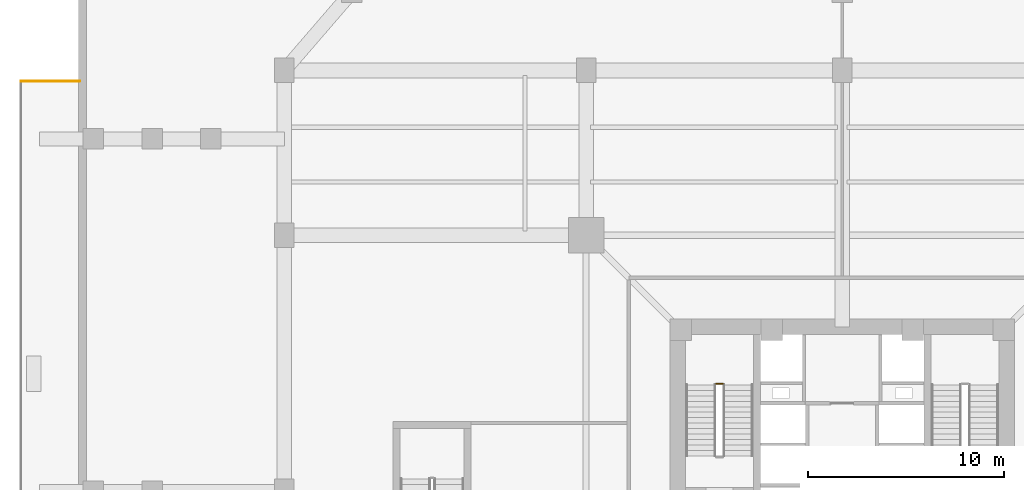
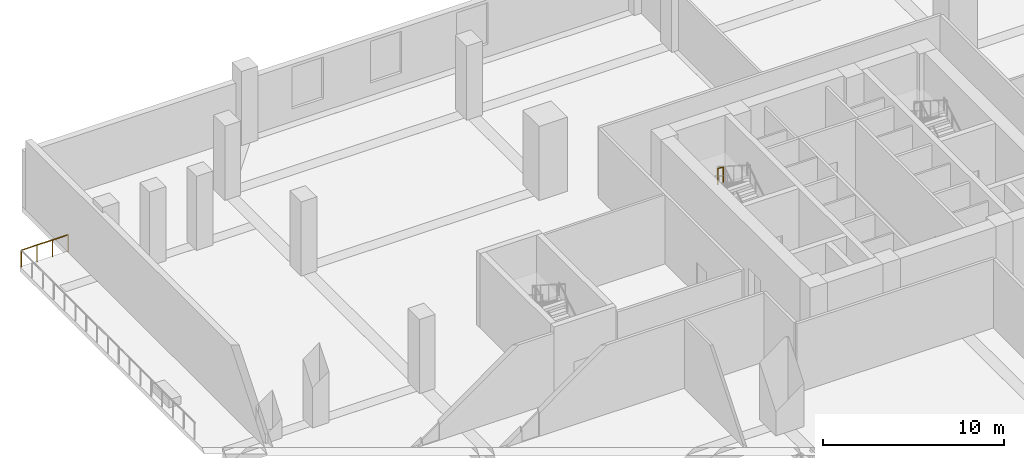
# One storey, part 15 of 17: 2 railings.
"""IFC4 building model written with IfcOpenShell, lengths in metres."""

import ifcopenshell
import ifcopenshell.guid

model = None  # the IFC model being written
_history = None  # IfcOwnerHistory: only IFC2X3 demands one
_inside = {}  # id of a spatial element -> (the spatial element, [elements in it])
_under = {}  # id of a project, library or spatial element -> (it, [spatial elements below it])
_declared = {}  # id of a project -> (the project, [libraries it declares])
_typed = {}  # id of a type object -> (the type object, [elements of that type])
_made_of = {}  # id of a material, layer set ... -> (it, [elements and type objects made of it])


def new_model(schema):
    """Start an empty IFC model of exactly this schema.

    Asked for "IFC4X3", IfcOpenShell would pick the latest addendum, in which some entities
    have other attributes; the version numbers below select the first issue.
    IFC2X3 requires an IfcOwnerHistory on every rooted entity: one is made here for all.
    """
    global model, _history
    if schema == "IFC4X3":
        model = ifcopenshell.file(schema_version=(4, 3, 0, 0))
    else:
        model = ifcopenshell.file(schema=schema)
    _inside.clear()
    _under.clear()
    _declared.clear()
    _typed.clear()
    _made_of.clear()
    _history = None
    if model.schema == "IFC2X3":
        org = make("IfcOrganization", Name="unknown")
        user = make(
            "IfcPersonAndOrganization",
            ThePerson=make("IfcPerson", FamilyName="unknown"),
            TheOrganization=org,
        )
        app = make(
            "IfcApplication",
            ApplicationDeveloper=org,
            Version="unknown",
            ApplicationFullName="unknown",
            ApplicationIdentifier="unknown",
        )
        _history = make(
            "IfcOwnerHistory",
            OwningUser=user,
            OwningApplication=app,
            ChangeAction="ADDED",
            CreationDate=0,
        )
    return model


def make(cls, **values):
    """One entity of the class cls with the attributes given. An attribute that is None is left unset."""
    return model.create_entity(
        cls, **{name: value for name, value in values.items() if value is not None}
    )


def rooted(cls, **values):
    """An entity with a GlobalId (a new one), such as an element, a storey or a relation."""
    return make(cls, GlobalId=ifcopenshell.guid.new(), OwnerHistory=_history, **values)


def si_unit(unit_type, name, prefix=None):
    """IfcSIUnit, for example si_unit("LENGTHUNIT", "METRE", prefix="MILLI")."""
    return make("IfcSIUnit", UnitType=unit_type, Prefix=prefix, Name=name)


def assignment(units):
    """IfcUnitAssignment: the units of a project."""
    return None if units is None else make("IfcUnitAssignment", Units=units)


def point(xyz):
    """IfcCartesianPoint."""
    return None if xyz is None else make("IfcCartesianPoint", Coordinates=xyz)


def direction(xyz):
    """IfcDirection."""
    return None if xyz is None else make("IfcDirection", DirectionRatios=xyz)


def frame(location, z_axis=None, x_axis=None):
    """IfcAxis2Placement3D, a coordinate frame: its origin and axes. An axis left out is left unset."""
    return make(
        "IfcAxis2Placement3D",
        Location=point(location),
        Axis=direction(z_axis),
        RefDirection=direction(x_axis),
    )


def frame_2d(location, x_axis=None):
    """IfcAxis2Placement2D, a coordinate frame in the plane: its origin and x axis."""
    return make(
        "IfcAxis2Placement2D", Location=point(location), RefDirection=direction(x_axis)
    )


def origin():
    """The frame at (0, 0, 0) with its axes left unset."""
    return frame((0.0, 0.0, 0.0))


def origin_2d():
    """The frame at (0, 0) in the plane with its x axis left unset."""
    return frame_2d((0.0, 0.0))


def place(relative_to, where):
    """IfcLocalPlacement: puts the frame where relative to a parent placement (None: the world)."""
    return make(
        "IfcLocalPlacement", PlacementRelTo=relative_to, RelativePlacement=where
    )


def context(
    kind, dimensions, precision=None, world=None, true_north=None, identifier=None
):
    """IfcGeometricRepresentationContext, for example the 3D "Model" context."""
    return make(
        "IfcGeometricRepresentationContext",
        ContextIdentifier=identifier,
        ContextType=kind,
        CoordinateSpaceDimension=dimensions,
        Precision=precision,
        WorldCoordinateSystem=world,
        TrueNorth=true_north,
    )


def subcontext(parent, identifier, kind, view, scale=None):
    """IfcGeometricRepresentationSubContext, for example "Body" below "Model"."""
    return make(
        "IfcGeometricRepresentationSubContext",
        ContextIdentifier=identifier,
        ContextType=kind,
        ParentContext=parent,
        TargetScale=scale,
        TargetView=view,
    )


def project(units=None, contexts=None):
    """IfcProject with its units and contexts."""
    return rooted(
        "IfcProject",
        Name="project",
        RepresentationContexts=contexts,
        UnitsInContext=assignment(units),
    )


def spatial(cls, under=None, at=None, **own):
    """A site, building, storey or space (cls), placed at a placement, below another one or the project."""
    s = rooted(cls, ObjectPlacement=at, **own)
    if under is not None:
        _under.setdefault(under.id(), (under, []))[1].append(s)
    return s


def profile(cls, at=None, kind="AREA", **sizes):
    """A parametric profile (cls). Its sizes go by their IFC names, for example OverallWidth=200.0."""
    return make(cls, ProfileType=kind, Position=at, **sizes)


def circle(**sizes):
    """IfcCircleProfileDef."""
    return profile("IfcCircleProfileDef", **sizes)


def extrude(swept, where, along, depth):
    """IfcExtrudedAreaSolid: the profile swept, set in the frame where, extruded along a direction by depth."""
    return make(
        "IfcExtrudedAreaSolid",
        SweptArea=swept,
        Position=where,
        ExtrudedDirection=direction(along),
        Depth=depth,
    )


def shape(context_of_items, identifier, shape_type, items):
    """IfcShapeRepresentation: the items that make up one representation, for example the "Body"."""
    return make(
        "IfcShapeRepresentation",
        ContextOfItems=context_of_items,
        RepresentationIdentifier=identifier,
        RepresentationType=shape_type,
        Items=items,
    )


def source(mapping_origin, context_of_items, identifier, shape_type, items):
    """IfcRepresentationMap: a shape defined once, which mapped items show again and again."""
    return make(
        "IfcRepresentationMap",
        MappingOrigin=mapping_origin,
        MappedRepresentation=shape(context_of_items, identifier, shape_type, items),
    )


def transform(
    local_origin,
    x_axis=None,
    y_axis=None,
    z_axis=None,
    scale=None,
    scale2=None,
    scale3=None,
    uniform=True,
):
    """IfcCartesianTransformationOperator3D, or its non-uniform kind. x_axis, y_axis, z_axis: its Axis1, 2, 3."""
    if uniform:
        return make(
            "IfcCartesianTransformationOperator3D",
            Axis1=direction(x_axis),
            Axis2=direction(y_axis),
            LocalOrigin=point(local_origin),
            Scale=scale,
            Axis3=direction(z_axis),
        )
    return make(
        "IfcCartesianTransformationOperator3DnonUniform",
        Axis1=direction(x_axis),
        Axis2=direction(y_axis),
        LocalOrigin=point(local_origin),
        Scale=scale,
        Axis3=direction(z_axis),
        Scale2=scale2,
        Scale3=scale3,
    )


def mapped(mapping_source, mapping_target):
    """IfcMappedItem: shows the shape of a source again, moved by a transform."""
    return make(
        "IfcMappedItem", MappingSource=mapping_source, MappingTarget=mapping_target
    )


def material(Name=None, Category=None):
    """IfcMaterial."""
    return make("IfcMaterial", Name=Name, Category=Category)


def made_of(thing, what):
    """Note that an element or type object is made of a material, layer set ...; save() writes the relation."""
    if what is not None:
        _made_of.setdefault(what.id(), (what, []))[1].append(thing)
    return thing


def type_object(cls, material=None, **own):
    """A type object (cls), such as IfcWallType, which elements share."""
    return made_of(rooted(cls, **own), material)


def element(
    cls,
    number,
    at=None,
    inside=None,
    cuts=None,
    type_object=None,
    material=None,
    context=None,
    identifier="Body",
    shape_type=None,
    held_by="IfcProductDefinitionShape",
    body=None,
    shapes=None,
    **own,
):
    """One element of the class cls, such as IfcWall. Its Tag is "e" and its number.

    at: its placement. inside: the storey or other place that contains it. cuts: it is an
    opening in that element (IfcRelVoidsElement). A single representation is given by context,
    identifier, shape_type and body (its items); several are given by shapes. held_by: the class
    of the entity that holds the representations. save() writes the other relations.
    """
    e = rooted(cls, Tag="e%d" % number, ObjectPlacement=at, **own)
    if body is not None:
        shapes = [shape(context, identifier, shape_type, body)]
    if shapes is not None:
        e.Representation = make(held_by, Representations=shapes)
    if inside is not None:
        _inside.setdefault(inside.id(), (inside, []))[1].append(e)
    if cuts is not None:
        rooted(
            "IfcRelVoidsElement", RelatingBuildingElement=cuts, RelatedOpeningElement=e
        )
    if type_object is not None:
        _typed.setdefault(type_object.id(), (type_object, []))[1].append(e)
    return made_of(e, material)


def aggregate(whole, parts):
    """IfcRelAggregates: a whole, such as a stair, and the parts it consists of."""
    return rooted("IfcRelAggregates", RelatingObject=whole, RelatedObjects=parts)


def save(model, path):
    """Write the relations noted so far, then the file.

    IfcRelAggregates (storeys below a building ...), IfcRelContainedInSpatialStructure (elements
    in a storey), IfcRelDefinesByType, IfcRelAssociatesMaterial and IfcRelDeclares: one each for
    every whole, place, type object, material and project.
    """
    for whole, parts in _under.values():
        aggregate(whole, parts)
    for where, things in _inside.values():
        rooted(
            "IfcRelContainedInSpatialStructure",
            RelatedElements=things,
            RelatingStructure=where,
        )
    for kind, things in _typed.values():
        rooted("IfcRelDefinesByType", RelatedObjects=things, RelatingType=kind)
    for what, things in _made_of.values():
        rooted("IfcRelAssociatesMaterial", RelatedObjects=things, RelatingMaterial=what)
    for by, libraries in _declared.values():
        rooted("IfcRelDeclares", RelatingContext=by, RelatedDefinitions=libraries)
    model.write(path)


model = new_model("IFC4")

# Units and contexts
model_context = context("Model", 3, precision=1e-05, world=origin(), true_north=direction((0.0, 1.0)))
body_context = subcontext(model_context, "Body", "Model", "MODEL_VIEW")
ifc_project = project(units=[si_unit("LENGTHUNIT", "METRE"), si_unit("AREAUNIT", "SQUARE_METRE"), si_unit("VOLUMEUNIT", "CUBIC_METRE"), si_unit("PLANEANGLEUNIT", "RADIAN"), si_unit("MASSUNIT", "GRAM", prefix="KILO"), si_unit("THERMODYNAMICTEMPERATUREUNIT", "KELVIN")], contexts=[model_context])

# Site, building, storey
site_placement = place(None, origin())
site = spatial("IfcSite", under=ifc_project, at=site_placement, CompositionType="ELEMENT")
building_placement = place(site_placement, origin())
building = spatial("IfcBuilding", under=site, at=building_placement, Name="Kosmvard Interchange Tower", CompositionType="ELEMENT")
storey_placement = place(building_placement, frame((0.0, 0.0, 6.0)))
storey = spatial("IfcBuildingStorey", under=building, at=storey_placement, Name="L01", CompositionType="ELEMENT", Elevation=6.0)

# Railings
ifc_material = material(Name="Steel S355", Category="steel")
railing_type_1 = type_object("IfcRailingType", Name="Observation & Balcony Glass-Infill Balustrade 1150", PredefinedType="BALUSTRADE", material=ifc_material)
shared_shape_1 = source(origin(), body_context, "Body", "SweptSolid", [
    extrude(circle(Radius=0.02392578125, at=origin_2d()), frame((0.0, 0.0, 1.1259765625), z_axis=(1.0, 0.0, 0.0), x_axis=(0.0, 1.0, 0.0)), (0.0, 0.0, 1.0), 3.0),
    extrude(circle(Radius=0.02099609375, at=origin_2d()), origin(), (0.0, 0.0, 1.0), 1.101806640625),
    extrude(circle(Radius=0.02099609375, at=origin_2d()), frame((1.0, 0.0, 0.0)), (0.0, 0.0, 1.0), 1.101806640625),
    extrude(circle(Radius=0.02099609375, at=origin_2d()), frame((2.0, 0.0, 0.0)), (0.0, 0.0, 1.0), 1.101806640625),
    extrude(circle(Radius=0.02099609375, at=origin_2d()), frame((3.0, 0.0, 0.0)), (0.0, 0.0, 1.0), 1.101806640625),
])
railing_1_placement = place(storey_placement, frame((-41.949951171875, 20.949951171875, 0.0)))
element("IfcRailing", 1, at=railing_1_placement, inside=storey, type_object=railing_type_1, Name="L01 Outdoor Terrace Guard TER-L01-W-C", PredefinedType="BALUSTRADE", context=body_context, shape_type="MappedRepresentation", body=[
    mapped(shared_shape_1, transform((0.0, 0.0, 0.0), scale=1.0)),
])
railing_type_2 = type_object("IfcRailingType", Name="Stair & Terrace Safety Guardrail 1100 Steel", PredefinedType="GUARDRAIL", material=ifc_material)
shared_shape_2 = source(origin(), body_context, "Body", "SweptSolid", [
    extrude(circle(Radius=0.02392578125, at=origin_2d()), frame((0.0, 0.0, 1.076171875), z_axis=(-1.0, 0.0, 0.0), x_axis=(0.0, -1.0, 0.0)), (0.0, 0.0, 1.0), 0.35986328125),
    extrude(circle(Radius=0.02099609375, at=origin_2d()), origin(), (0.0, 0.0, 1.0), 1.052001953125),
    extrude(circle(Radius=0.02099609375, at=origin_2d()), frame((-0.35986328125, 0.0, 0.0)), (0.0, 0.0, 1.0), 1.052001953125),
])
railing_2_placement = place(storey_placement, frame((-6.090087890625, 5.489990234375, 2.5)))
element("IfcRailing", 2, at=railing_2_placement, inside=storey, type_object=railing_type_2, Name="L01 ST-1 stair guard 2", PredefinedType="GUARDRAIL", context=body_context, shape_type="MappedRepresentation", body=[
    mapped(shared_shape_2, transform((0.0, 0.0, 0.0), scale=1.0)),
])

save(model, "model.ifc")
